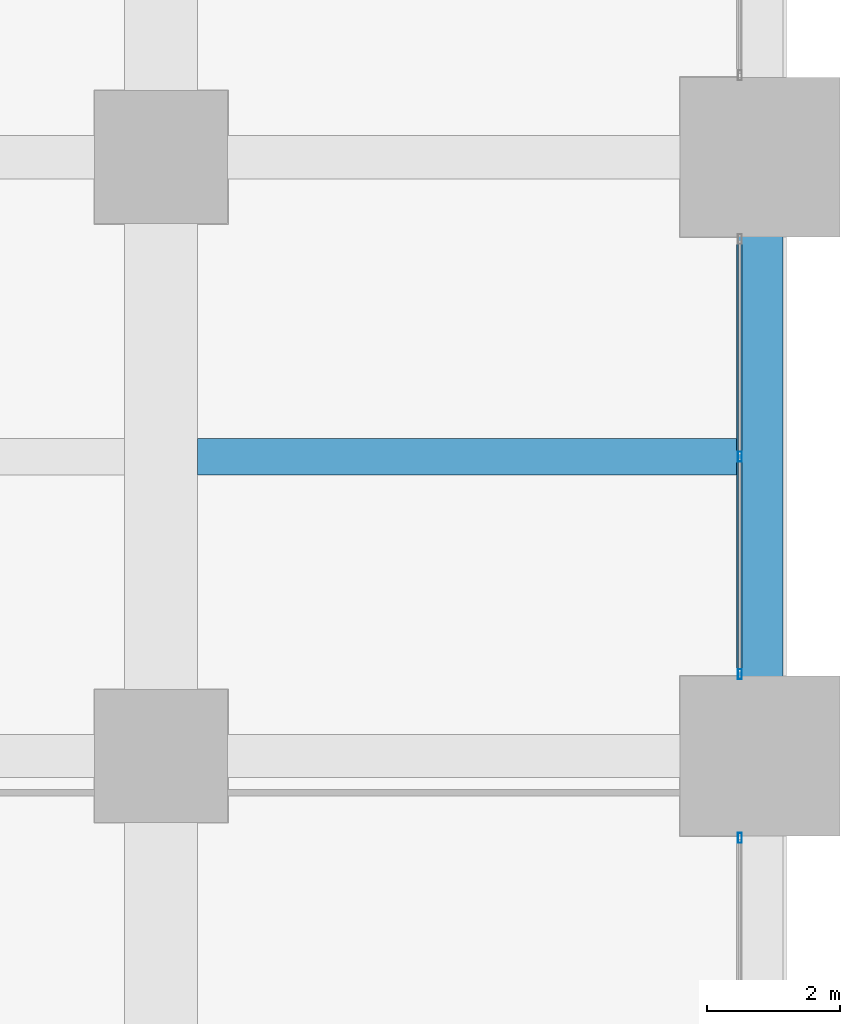
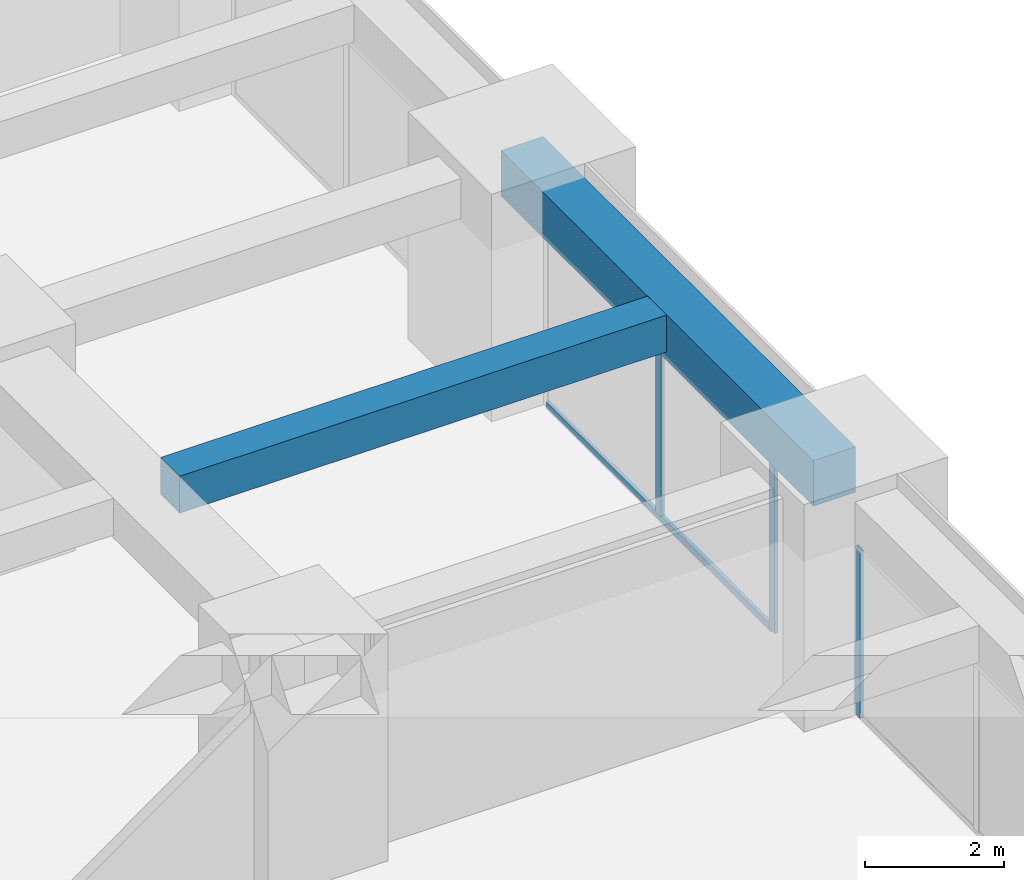
# One storey, part 21 of 40: 4 members, 2 beams, 2 elements without a shape of their own.
"""IFC4 building model written with IfcOpenShell, lengths in metres."""

from ifc_helpers import new_model, si_unit, direction, frame, origin, origin_2d, place, context, subcontext, project, spatial, rectangle, hollow_rectangle, extrude, material, material_profile, profile_set, type_object, element, aggregate, save


model = new_model("IFC4")

# Units and contexts
model_context = context("Model", 3, precision=1e-05, world=origin(), true_north=direction((0.0, 1.0)))
body_context = subcontext(model_context, "Body", "Model", "MODEL_VIEW")
ifc_project = project(units=[si_unit("LENGTHUNIT", "METRE"), si_unit("AREAUNIT", "SQUARE_METRE"), si_unit("VOLUMEUNIT", "CUBIC_METRE"), si_unit("PLANEANGLEUNIT", "RADIAN"), si_unit("MASSUNIT", "GRAM", prefix="KILO")], contexts=[model_context])

# Site, building, storey
site_placement = place(None, origin())
site = spatial("IfcSite", under=ifc_project, at=site_placement, CompositionType="ELEMENT")
building_placement = place(site_placement, origin())
building = spatial("IfcBuilding", under=site, at=building_placement, Name="Zorevar Civic Tower", CompositionType="ELEMENT")
storey_placement = place(building_placement, frame((0.0, 0.0, 93.0)))
storey = spatial("IfcBuildingStorey", under=building, at=storey_placement, Name="L22", CompositionType="ELEMENT", Elevation=93.0)

# Beam
ifc_material_1 = material(Name="Concrete C50/60", Category="concrete")
ifc_material_profile_1 = material_profile(ifc_material_1, rectangle(XDim=0.550048828125, YDim=0.64990234375, at=origin_2d()), Name="RC 550x650")
ifc_profile_set_1 = profile_set([ifc_material_profile_1], Name="Concrete C50/60")
beam_type_1 = type_object("IfcBeamType", Name="Beam RC 550x650", PredefinedType="BEAM", material=ifc_profile_set_1)
beam_1_placement = place(storey_placement, frame((54.550048828125, 22.5, 3.425048828125), z_axis=(1.0, 0.0, 0.0), x_axis=(0.0, 1.0, 0.0)))
element("IfcBeam", 1, at=beam_1_placement, inside=storey, type_object=beam_type_1, Name="Secondary beam L23", PredefinedType="BEAM", context=body_context, shape_type="SweptSolid", body=[
    extrude(rectangle(XDim=0.550048828125, YDim=0.64990234375, at=origin_2d()), origin(), (0.0, 0.0, 1.0), 8.099853515625),
])

# Curtain wall, member
ifc_material_2 = material(Name="Dark grey solar-control glass in black aluminium frame", Category="aluminium")
curtain_wall_type = type_object("IfcCurtainWallType", Name="Curtain wall CW3 mid zone", PredefinedType="NOTDEFINED", material=ifc_material_2)
curtain_wall_1_placement = place(storey_placement, origin())
curtain_wall_1 = element("IfcCurtainWall", 2, at=curtain_wall_1_placement, inside=storey, type_object=curtain_wall_type, Name="CW3 L22", PredefinedType="NOTDEFINED")
ifc_material_3 = material(Name="Aluminium, black anodised", Category="aluminium")
ifc_material_profile_2 = material_profile(ifc_material_3, hollow_rectangle(XDim=0.06005859375, YDim=0.14990234375, WallThickness=0.00390625, at=origin_2d()), Name="AL 150x60x4")
ifc_profile_set_2 = profile_set([ifc_material_profile_2], Name="Aluminium, black anodised")
member_type_1 = type_object("IfcMemberType", Name="CW3 mullion AL 150x60x4", PredefinedType="MULLION", material=ifc_profile_set_2)
member_1_placement = place(storey_placement, frame((62.699951171875, 16.77001953125, 0.0), z_axis=(0.0, 0.0, 1.0), x_axis=(-1.0, 0.0, 0.0)))
member_1 = element("IfcMember", 3, at=member_1_placement, type_object=member_type_1, Name="CW3 mullion 3", PredefinedType="MULLION", context=body_context, shape_type="SweptSolid", body=[
    extrude(hollow_rectangle(XDim=0.06005859375, YDim=0.14990234375, WallThickness=0.00390625, at=origin_2d()), origin(), (0.0, 0.0, 1.0), 2.949951171875),
])
aggregate(curtain_wall_1, [member_1])

# Curtain wall, members
curtain_wall_2_placement = place(storey_placement, origin())
curtain_wall_2 = element("IfcCurtainWall", 4, at=curtain_wall_2_placement, inside=storey, type_object=curtain_wall_type, Name="CW3 L22", PredefinedType="NOTDEFINED")
member_2_placement = place(storey_placement, frame((62.699951171875, 19.22998046875, 0.0), z_axis=(0.0, 0.0, 1.0), x_axis=(-1.0, 0.0, 0.0)))
member_2 = element("IfcMember", 5, at=member_2_placement, type_object=member_type_1, Name="CW3 mullion 1", PredefinedType="MULLION", context=body_context, shape_type="SweptSolid", body=[
    extrude(hollow_rectangle(XDim=0.06005859375, YDim=0.14990234375, WallThickness=0.00390625, at=origin_2d()), origin(), (0.0, 0.0, 1.0), 2.949951171875),
])
member_3_placement = place(storey_placement, frame((62.699951171875, 22.5, 0.06005859375), z_axis=(0.0, 0.0, 1.0), x_axis=(-1.0, 0.0, 0.0)))
member_3 = element("IfcMember", 6, at=member_3_placement, type_object=member_type_1, Name="CW3 mullion 2", PredefinedType="MULLION", context=body_context, shape_type="SweptSolid", body=[
    extrude(hollow_rectangle(XDim=0.06005859375, YDim=0.14990234375, WallThickness=0.00390625, at=origin_2d()), origin(), (0.0, 0.0, 1.0), 2.889892578125),
])
ifc_material_4 = material(Name="Aluminium, black anodised", Category="aluminium")
ifc_material_profile_3 = material_profile(ifc_material_4, hollow_rectangle(XDim=0.06005859375, YDim=0.1201171875, WallThickness=0.0029296875, at=origin_2d()), Name="AL 120x60x3")
ifc_profile_set_3 = profile_set([ifc_material_profile_3], Name="Aluminium, black anodised")
member_type_2 = type_object("IfcMemberType", Name="CW3 transom AL 120x60x3", PredefinedType="USERDEFINED", material=ifc_profile_set_3)
member_4_placement = place(storey_placement, frame((62.699951171875, 19.260009765625, 0.030029296875), z_axis=(0.0, 1.0, 0.0), x_axis=(-1.0, 0.0, 0.0)))
member_4 = element("IfcMember", 7, at=member_4_placement, type_object=member_type_2, Name="CW3 sill transom", ObjectType="TRANSOM", PredefinedType="USERDEFINED", context=body_context, shape_type="SweptSolid", body=[
    extrude(hollow_rectangle(XDim=0.06005859375, YDim=0.1201171875, WallThickness=0.0029296875, at=origin_2d()), origin(), (0.0, 0.0, 1.0), 6.47998046875),
])
aggregate(curtain_wall_2, [member_2, member_3, member_4])

# Beam
ifc_material_5 = material(Name="Concrete C50/60", Category="concrete")
ifc_material_profile_4 = material_profile(ifc_material_5, rectangle(XDim=0.699951171875, YDim=0.800048828125, at=origin_2d()), Name="RC 700x800")
ifc_profile_set_4 = profile_set([ifc_material_profile_4], Name="Concrete C50/60")
beam_type_2 = type_object("IfcBeamType", Name="Edge beam RC 700x800", PredefinedType="SPANDREL", material=ifc_profile_set_4)
beam_2_placement = place(storey_placement, frame((63.0, 18.0, 3.35009765625), z_axis=(0.0, 1.0, 0.0), x_axis=(-1.0, 0.0, 0.0)))
element("IfcBeam", 8, at=beam_2_placement, inside=storey, type_object=beam_type_2, Name="Edge beam L23", PredefinedType="SPANDREL", context=body_context, shape_type="SweptSolid", body=[
    extrude(rectangle(XDim=0.699951171875, YDim=0.800048828125, at=origin_2d()), origin(), (0.0, 0.0, 1.0), 9.0),
])

save(model, "model.ifc")
